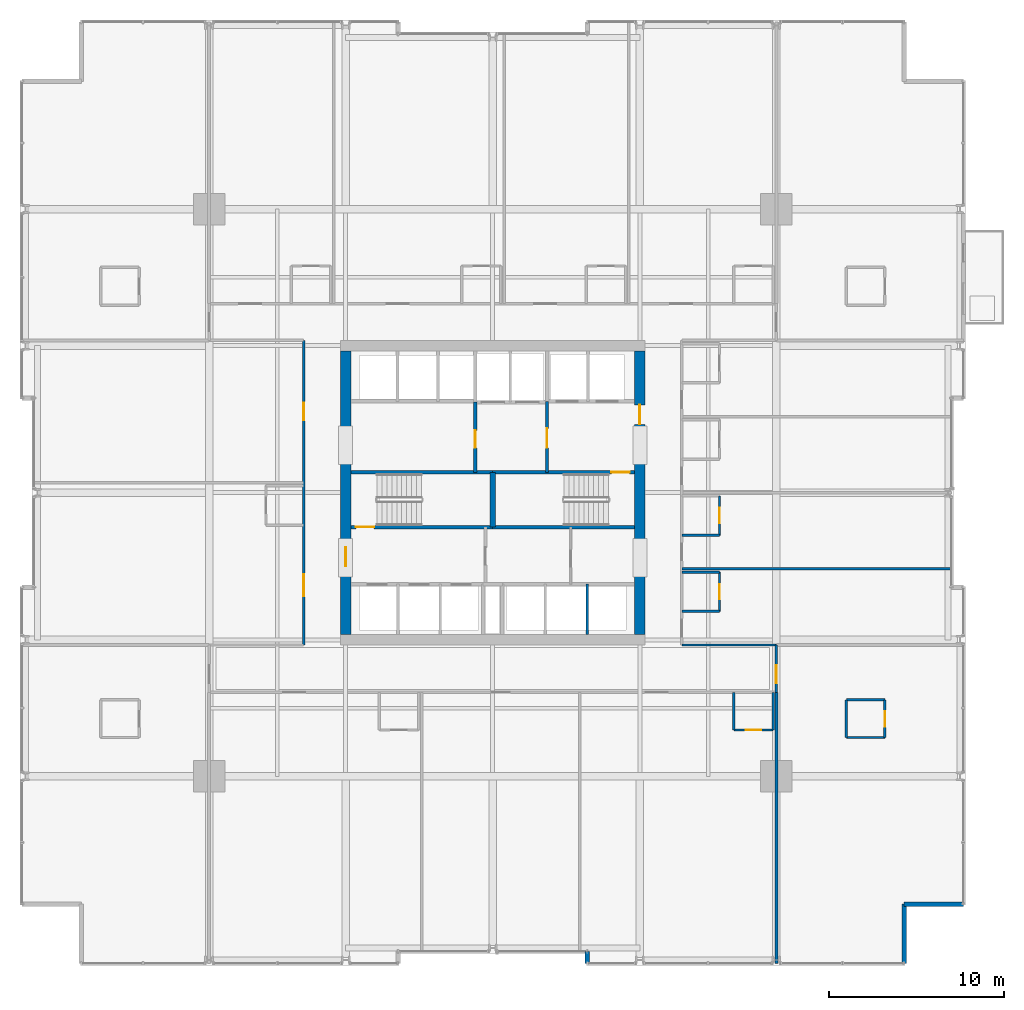
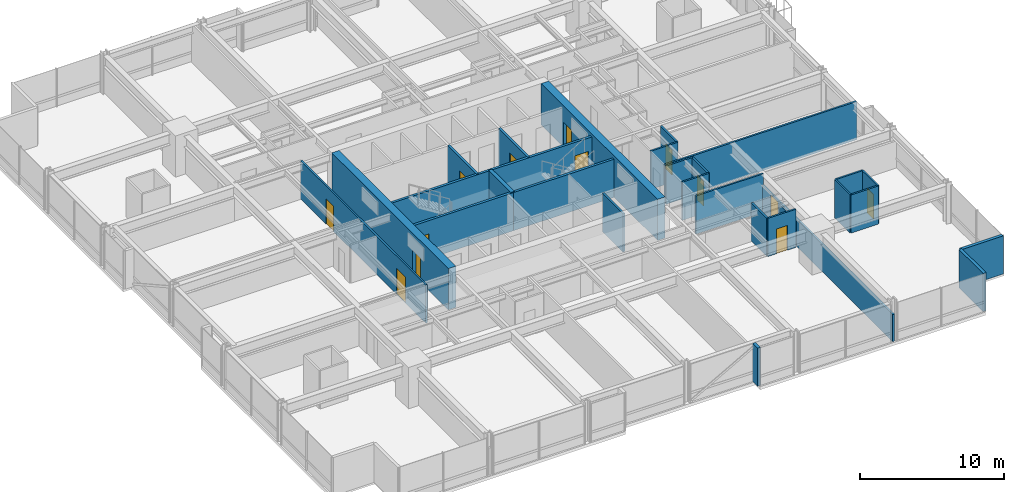
# One storey, part 31 of 38: 30 walls, 13 doors, 13 openings.
"""IFC4 building model written with IfcOpenShell, lengths in metres."""

import ifcopenshell
import ifcopenshell.guid

model = None  # the IFC model being written
_history = None  # IfcOwnerHistory: only IFC2X3 demands one
_inside = {}  # id of a spatial element -> (the spatial element, [elements in it])
_under = {}  # id of a project, library or spatial element -> (it, [spatial elements below it])
_declared = {}  # id of a project -> (the project, [libraries it declares])
_typed = {}  # id of a type object -> (the type object, [elements of that type])
_made_of = {}  # id of a material, layer set ... -> (it, [elements and type objects made of it])


def new_model(schema):
    """Start an empty IFC model of exactly this schema.

    Asked for "IFC4X3", IfcOpenShell would pick the latest addendum, in which some entities
    have other attributes; the version numbers below select the first issue.
    IFC2X3 requires an IfcOwnerHistory on every rooted entity: one is made here for all.
    """
    global model, _history
    if schema == "IFC4X3":
        model = ifcopenshell.file(schema_version=(4, 3, 0, 0))
    else:
        model = ifcopenshell.file(schema=schema)
    _inside.clear()
    _under.clear()
    _declared.clear()
    _typed.clear()
    _made_of.clear()
    _history = None
    if model.schema == "IFC2X3":
        org = make("IfcOrganization", Name="unknown")
        user = make(
            "IfcPersonAndOrganization",
            ThePerson=make("IfcPerson", FamilyName="unknown"),
            TheOrganization=org,
        )
        app = make(
            "IfcApplication",
            ApplicationDeveloper=org,
            Version="unknown",
            ApplicationFullName="unknown",
            ApplicationIdentifier="unknown",
        )
        _history = make(
            "IfcOwnerHistory",
            OwningUser=user,
            OwningApplication=app,
            ChangeAction="ADDED",
            CreationDate=0,
        )
    return model


def make(cls, **values):
    """One entity of the class cls with the attributes given. An attribute that is None is left unset."""
    return model.create_entity(
        cls, **{name: value for name, value in values.items() if value is not None}
    )


def rooted(cls, **values):
    """An entity with a GlobalId (a new one), such as an element, a storey or a relation."""
    return make(cls, GlobalId=ifcopenshell.guid.new(), OwnerHistory=_history, **values)


def si_unit(unit_type, name, prefix=None):
    """IfcSIUnit, for example si_unit("LENGTHUNIT", "METRE", prefix="MILLI")."""
    return make("IfcSIUnit", UnitType=unit_type, Prefix=prefix, Name=name)


def assignment(units):
    """IfcUnitAssignment: the units of a project."""
    return None if units is None else make("IfcUnitAssignment", Units=units)


def point(xyz):
    """IfcCartesianPoint."""
    return None if xyz is None else make("IfcCartesianPoint", Coordinates=xyz)


def direction(xyz):
    """IfcDirection."""
    return None if xyz is None else make("IfcDirection", DirectionRatios=xyz)


def frame(location, z_axis=None, x_axis=None):
    """IfcAxis2Placement3D, a coordinate frame: its origin and axes. An axis left out is left unset."""
    return make(
        "IfcAxis2Placement3D",
        Location=point(location),
        Axis=direction(z_axis),
        RefDirection=direction(x_axis),
    )


def frame_2d(location, x_axis=None):
    """IfcAxis2Placement2D, a coordinate frame in the plane: its origin and x axis."""
    return make(
        "IfcAxis2Placement2D", Location=point(location), RefDirection=direction(x_axis)
    )


def origin():
    """The frame at (0, 0, 0) with its axes left unset."""
    return frame((0.0, 0.0, 0.0))


def place(relative_to, where):
    """IfcLocalPlacement: puts the frame where relative to a parent placement (None: the world)."""
    return make(
        "IfcLocalPlacement", PlacementRelTo=relative_to, RelativePlacement=where
    )


def context(
    kind, dimensions, precision=None, world=None, true_north=None, identifier=None
):
    """IfcGeometricRepresentationContext, for example the 3D "Model" context."""
    return make(
        "IfcGeometricRepresentationContext",
        ContextIdentifier=identifier,
        ContextType=kind,
        CoordinateSpaceDimension=dimensions,
        Precision=precision,
        WorldCoordinateSystem=world,
        TrueNorth=true_north,
    )


def subcontext(parent, identifier, kind, view, scale=None):
    """IfcGeometricRepresentationSubContext, for example "Body" below "Model"."""
    return make(
        "IfcGeometricRepresentationSubContext",
        ContextIdentifier=identifier,
        ContextType=kind,
        ParentContext=parent,
        TargetScale=scale,
        TargetView=view,
    )


def project(units=None, contexts=None):
    """IfcProject with its units and contexts."""
    return rooted(
        "IfcProject",
        Name="project",
        RepresentationContexts=contexts,
        UnitsInContext=assignment(units),
    )


def spatial(cls, under=None, at=None, **own):
    """A site, building, storey or space (cls), placed at a placement, below another one or the project."""
    s = rooted(cls, ObjectPlacement=at, **own)
    if under is not None:
        _under.setdefault(under.id(), (under, []))[1].append(s)
    return s


def profile(cls, at=None, kind="AREA", **sizes):
    """A parametric profile (cls). Its sizes go by their IFC names, for example OverallWidth=200.0."""
    return make(cls, ProfileType=kind, Position=at, **sizes)


def rectangle(**sizes):
    """IfcRectangleProfileDef."""
    return profile("IfcRectangleProfileDef", **sizes)


def extrude(swept, where, along, depth):
    """IfcExtrudedAreaSolid: the profile swept, set in the frame where, extruded along a direction by depth."""
    return make(
        "IfcExtrudedAreaSolid",
        SweptArea=swept,
        Position=where,
        ExtrudedDirection=direction(along),
        Depth=depth,
    )


def shape(context_of_items, identifier, shape_type, items):
    """IfcShapeRepresentation: the items that make up one representation, for example the "Body"."""
    return make(
        "IfcShapeRepresentation",
        ContextOfItems=context_of_items,
        RepresentationIdentifier=identifier,
        RepresentationType=shape_type,
        Items=items,
    )


def material(Name=None, Category=None):
    """IfcMaterial."""
    return make("IfcMaterial", Name=Name, Category=Category)


def layer(
    of_material, thickness, ventilated=None, Name=None, Category=None, Priority=None
):
    """IfcMaterialLayer: one layer of a wall or slab, of a material (None: an air gap)."""
    return make(
        "IfcMaterialLayer",
        Material=of_material,
        LayerThickness=thickness,
        IsVentilated=ventilated,
        Name=Name,
        Category=Category,
        Priority=Priority,
    )


def layer_set(layers, Name=None):
    """IfcMaterialLayerSet."""
    return make("IfcMaterialLayerSet", MaterialLayers=layers, LayerSetName=Name)


def made_of(thing, what):
    """Note that an element or type object is made of a material, layer set ...; save() writes the relation."""
    if what is not None:
        _made_of.setdefault(what.id(), (what, []))[1].append(thing)
    return thing


def type_object(cls, material=None, **own):
    """A type object (cls), such as IfcWallType, which elements share."""
    return made_of(rooted(cls, **own), material)


def element(
    cls,
    number,
    at=None,
    inside=None,
    cuts=None,
    type_object=None,
    material=None,
    context=None,
    identifier="Body",
    shape_type=None,
    held_by="IfcProductDefinitionShape",
    body=None,
    shapes=None,
    **own,
):
    """One element of the class cls, such as IfcWall. Its Tag is "e" and its number.

    at: its placement. inside: the storey or other place that contains it. cuts: it is an
    opening in that element (IfcRelVoidsElement). A single representation is given by context,
    identifier, shape_type and body (its items); several are given by shapes. held_by: the class
    of the entity that holds the representations. save() writes the other relations.
    """
    e = rooted(cls, Tag="e%d" % number, ObjectPlacement=at, **own)
    if body is not None:
        shapes = [shape(context, identifier, shape_type, body)]
    if shapes is not None:
        e.Representation = make(held_by, Representations=shapes)
    if inside is not None:
        _inside.setdefault(inside.id(), (inside, []))[1].append(e)
    if cuts is not None:
        rooted(
            "IfcRelVoidsElement", RelatingBuildingElement=cuts, RelatedOpeningElement=e
        )
    if type_object is not None:
        _typed.setdefault(type_object.id(), (type_object, []))[1].append(e)
    return made_of(e, material)


def fill(opening, filler):
    """IfcRelFillsElement: the door or window that sits in an opening."""
    return rooted(
        "IfcRelFillsElement",
        RelatingOpeningElement=opening,
        RelatedBuildingElement=filler,
    )


def aggregate(whole, parts):
    """IfcRelAggregates: a whole, such as a stair, and the parts it consists of."""
    return rooted("IfcRelAggregates", RelatingObject=whole, RelatedObjects=parts)


def save(model, path):
    """Write the relations noted so far, then the file.

    IfcRelAggregates (storeys below a building ...), IfcRelContainedInSpatialStructure (elements
    in a storey), IfcRelDefinesByType, IfcRelAssociatesMaterial and IfcRelDeclares: one each for
    every whole, place, type object, material and project.
    """
    for whole, parts in _under.values():
        aggregate(whole, parts)
    for where, things in _inside.values():
        rooted(
            "IfcRelContainedInSpatialStructure",
            RelatedElements=things,
            RelatingStructure=where,
        )
    for kind, things in _typed.values():
        rooted("IfcRelDefinesByType", RelatedObjects=things, RelatingType=kind)
    for what, things in _made_of.values():
        rooted("IfcRelAssociatesMaterial", RelatedObjects=things, RelatingMaterial=what)
    for by, libraries in _declared.values():
        rooted("IfcRelDeclares", RelatingContext=by, RelatedDefinitions=libraries)
    model.write(path)


model = new_model("IFC4")

# Units and contexts
model_context = context("Model", 3, precision=1e-05, world=origin(), true_north=direction((0.0, 1.0)))
body_context = subcontext(model_context, "Body", "Model", "MODEL_VIEW")
ifc_project = project(units=[si_unit("LENGTHUNIT", "METRE"), si_unit("AREAUNIT", "SQUARE_METRE"), si_unit("VOLUMEUNIT", "CUBIC_METRE"), si_unit("PLANEANGLEUNIT", "RADIAN"), si_unit("MASSUNIT", "GRAM", prefix="KILO")], contexts=[model_context])

# Site, building, storey
site_placement = place(None, origin())
site = spatial("IfcSite", under=ifc_project, at=site_placement, CompositionType="ELEMENT")
building_placement = place(site_placement, origin())
building = spatial("IfcBuilding", under=site, at=building_placement, Name="Drelvath Grand Hotel", CompositionType="ELEMENT")
storey_placement = place(building_placement, frame((0.0, 0.0, 50.699951171875)))
storey = spatial("IfcBuildingStorey", under=building, at=storey_placement, Name="L11", CompositionType="ELEMENT", Elevation=50.699951171875)

# Wall, opening, door
ifc_material_1 = material(Name="Concrete C40/50", Category="concrete")
ifc_layer_1 = layer(ifc_material_1, 0.199951171875)
ifc_layer_set_1 = layer_set([ifc_layer_1], Name="Concrete C40/50")
wall_type_1 = type_object("IfcWallType", Name="Core Shaft Fire Wall 200", PredefinedType="SOLIDWALL", material=ifc_layer_set_1)
wall_1_placement = place(storey_placement, frame((-8.10009765625, 25.0400390625, 0.0), z_axis=(0.0, 0.0, 1.0), x_axis=(1.0, 0.0, 0.0)))
wall_1 = element("IfcWall", 1, at=wall_1_placement, inside=storey, type_object=wall_type_1, Name="L11 Stair ST-1 South Wall", PredefinedType="SOLIDWALL", context=body_context, shape_type="SweptSolid", body=[
    extrude(rectangle(XDim=8.10009765625, YDim=0.199951171875, at=frame_2d((4.050048828125, 0.0))), origin(), (0.0, 0.0, 1.0), 3.239990234375),
])
opening_1_placement = place(wall_1_placement, frame((0.280029296875, 0.0, 0.0)))
opening_1 = element("IfcOpeningElement", 2, at=opening_1_placement, cuts=wall_1, Name="Opening D-T1G2-001", PredefinedType="OPENING", context=body_context, shape_type="SweptSolid", body=[
    extrude(rectangle(XDim=1.050048828125, YDim=2.10009765625, at=frame_2d((0.52490234375, 1.050048828125))), frame((0.0, 0.10986328125, 0.0), z_axis=(0.0, -1.0, 0.0), x_axis=(1.0, 0.0, 0.0)), (0.0, 0.0, 1.0), 0.219970703125),
])
ifc_material_2 = material(Name="Painted Steel S275", Category="steel")
door_type_1 = type_object("IfcDoorType", Name="Tower Stairwell Fire Door 1050x2100", OperationType="NOTDEFINED", PredefinedType="DOOR", material=ifc_material_2)
door_1_placement = place(opening_1_placement, origin())
door_1 = element("IfcDoor", 3, at=door_1_placement, inside=storey, type_object=door_type_1, Name="L11 Exit Stair ST-1 Door", OperationType="SINGLE_SWING_LEFT", OverallHeight=2.10009765625, OverallWidth=1.050048828125, PredefinedType="DOOR", context=body_context, shape_type="SweptSolid", body=[
    extrude(rectangle(XDim=1.050048828125, YDim=2.10009765625, at=frame_2d((0.52490234375, 1.050048828125))), frame((0.0, 0.02490234375, 0.0), z_axis=(0.0, -1.0, 0.0), x_axis=(1.0, 0.0, 0.0)), (0.0, 0.0, 1.0), 0.050048828125),
])
fill(opening_1, door_1)

# Walls
for number, where, z_axis, x_axis, name in (
    (4, (-8.10009765625, 28.159912109375, 0.0), (0.0, 0.0, 1.0), (1.0, 0.0, 0.0), "L11 Stair ST-1 North Wall"),
    (5, (0.0, 25.0400390625, 0.0), (0.0, 0.0, 1.0), (1.0, 0.0, 0.0), "L11 Stair ST-2 South Wall"),
):
    element("IfcWall", number, at=place(storey_placement, frame(where, z_axis=z_axis, x_axis=x_axis)), inside=storey, type_object=wall_type_1, Name=name, PredefinedType="SOLIDWALL", context=body_context, shape_type="SweptSolid", body=[
        extrude(rectangle(XDim=8.10009765625, YDim=0.199951171875, at=frame_2d((4.050048828125, 0.0))), origin(), (0.0, 0.0, 1.0), 3.239990234375),
    ])

# Wall, opening, door
wall_2_placement = place(storey_placement, frame((8.10009765625, 28.159912109375, 0.0), z_axis=(0.0, 0.0, 1.0), x_axis=(-1.0, 0.0, 0.0)))
wall_2 = element("IfcWall", 6, at=wall_2_placement, inside=storey, type_object=wall_type_1, Name="L11 Stair ST-2 North Wall", PredefinedType="SOLIDWALL", context=body_context, shape_type="SweptSolid", body=[
    extrude(rectangle(XDim=8.10009765625, YDim=0.199951171875, at=frame_2d((4.050048828125, 0.0))), origin(), (0.0, 0.0, 1.0), 3.239990234375),
])
opening_2_placement = place(wall_2_placement, frame((0.280029296875, 0.0, 0.0)))
opening_2 = element("IfcOpeningElement", 7, at=opening_2_placement, cuts=wall_2, Name="Opening D-T1G2-002", PredefinedType="OPENING", context=body_context, shape_type="SweptSolid", body=[
    extrude(rectangle(XDim=1.050048828125, YDim=2.10009765625, at=frame_2d((0.52490234375, 1.050048828125))), frame((0.0, 0.10986328125, 0.0), z_axis=(0.0, -1.0, 0.0), x_axis=(1.0, 0.0, 0.0)), (0.0, 0.0, 1.0), 0.219970703125),
])
door_2_placement = place(opening_2_placement, origin())
door_2 = element("IfcDoor", 8, at=door_2_placement, inside=storey, type_object=door_type_1, Name="L11 Exit Stair ST-2 Door", OperationType="SINGLE_SWING_LEFT", OverallHeight=2.10009765625, OverallWidth=1.050048828125, PredefinedType="DOOR", context=body_context, shape_type="SweptSolid", body=[
    extrude(rectangle(XDim=1.050048828125, YDim=2.10009765625, at=frame_2d((0.52490234375, 1.050048828125))), frame((0.0, 0.02490234375, 0.0), z_axis=(0.0, -1.0, 0.0), x_axis=(1.0, 0.0, 0.0)), (0.0, 0.0, 1.0), 0.050048828125),
])
fill(opening_2, door_2)

# Walls
ifc_layer_2 = layer(ifc_material_1, 0.300048828125)
ifc_layer_set_2 = layer_set([ifc_layer_2], Name="Concrete C40/50")
wall_type_2 = type_object("IfcWallType", Name="Core Shaft Fire Wall 300", PredefinedType="SOLIDWALL", material=ifc_layer_set_2)
wall_3_placement = place(storey_placement, frame((0.0, 25.0400390625, 0.0), z_axis=(0.0, 0.0, 1.0), x_axis=(0.0, 1.0, 0.0)))
element("IfcWall", 9, at=wall_3_placement, inside=storey, type_object=wall_type_2, Name="L11 Core Stair Divider Wall", PredefinedType="SOLIDWALL", context=body_context, shape_type="SweptSolid", body=[
    extrude(rectangle(XDim=3.119873046875, YDim=0.300048828125, at=frame_2d((1.56005859375, 0.0))), origin(), (0.0, 0.0, 1.0), 3.239990234375),
])
ifc_material_3 = material(Name="Gypsum Fireboard Partition")
ifc_layer_3 = layer(ifc_material_3, 0.1650390625)
ifc_layer_set_3 = layer_set([ifc_layer_3], Name="Gypsum Fireboard Partition")
wall_type_3 = type_object("IfcWallType", Name="Core Shaft Partition 165", PredefinedType="PARTITIONING", material=ifc_layer_set_3)
wall_4_placement = place(storey_placement, frame((5.39990234375, 18.89990234375, 0.0), z_axis=(0.0, 0.0, 1.0), x_axis=(0.0, 1.0, 0.0)))
element("IfcWall", 10, at=wall_4_placement, inside=storey, type_object=wall_type_3, Name="L11 Lift PE-5/6 Divider", PredefinedType="PARTITIONING", context=body_context, shape_type="SweptSolid", body=[
    extrude(rectangle(XDim=2.880126953125, YDim=0.1650390625, at=frame_2d((1.43994140625, 0.0))), origin(), (0.0, 0.0, 1.0), 3.239990234375),
])
ifc_layer_4 = layer(ifc_material_3, 0.135009765625)
ifc_layer_set_4 = layer_set([ifc_layer_4], Name="Gypsum Fireboard Partition")
wall_type_4 = type_object("IfcWallType", Name="Corridor Fire Barrier Wall 135", PredefinedType="PARTITIONING", material=ifc_layer_set_4)
wall_5_placement = place(storey_placement, frame((10.800048828125, 18.300048828125, 0.0), z_axis=(0.0, 0.0, 1.0), x_axis=(1.0, 0.0, 0.0)))
element("IfcWall", 11, at=wall_5_placement, inside=storey, type_object=wall_type_4, Name="L11 SE Spur Inner Wall", PredefinedType="PARTITIONING", context=body_context, shape_type="SweptSolid", body=[
    extrude(rectangle(XDim=5.39990234375, YDim=0.135009765625, at=frame_2d((2.699951171875, 0.0))), origin(), (0.0, 0.0, 1.0), 3.239990234375),
])

# Wall, openings, doors
wall_6_placement = place(storey_placement, frame((-10.800048828125, 18.300048828125, 0.0), z_axis=(0.0, 0.0, 1.0), x_axis=(0.0, 1.0, 0.0)))
wall_6 = element("IfcWall", 12, at=wall_6_placement, inside=storey, type_object=wall_type_4, Name="L11 West Corridor Wall", PredefinedType="PARTITIONING", context=body_context, shape_type="SweptSolid", body=[
    extrude(rectangle(XDim=17.39990234375, YDim=0.135009765625, at=frame_2d((8.699951171875, 0.0))), origin(), (0.0, 0.0, 1.0), 3.239990234375),
])
opening_3_placement = place(wall_6_placement, frame((2.794921875, 0.0, 0.0)))
opening_3 = element("IfcOpeningElement", 13, at=opening_3_placement, cuts=wall_6, Name="Opening D-T1G2-038", PredefinedType="OPENING", context=body_context, shape_type="SweptSolid", body=[
    extrude(rectangle(XDim=1.260009765625, YDim=2.199951171875, at=frame_2d((0.6298828125, 1.10009765625))), frame((0.0, 0.077392578125, 0.0), z_axis=(0.0, -1.0, 0.0), x_axis=(1.0, 0.0, 0.0)), (0.0, 0.0, 1.0), 0.155029296875),
])
opening_4_placement = place(wall_6_placement, frame((12.830078125, 0.0, 0.0)))
opening_4 = element("IfcOpeningElement", 14, at=opening_4_placement, cuts=wall_6, Name="Opening D-T1G2-039", PredefinedType="OPENING", context=body_context, shape_type="SweptSolid", body=[
    extrude(rectangle(XDim=1.02001953125, YDim=2.14990234375, at=frame_2d((0.510009765625, 1.074951171875))), frame((0.0, 0.077392578125, 0.0), z_axis=(0.0, -1.0, 0.0), x_axis=(1.0, 0.0, 0.0)), (0.0, 0.0, 1.0), 0.155029296875),
])
ifc_material_4 = material(Name="Hardwood Walnut Timber", Category="wood")
door_type_2 = type_object("IfcDoorType", Name="Amenity Meeting Fire Door 1020x2150", OperationType="NOTDEFINED", PredefinedType="DOOR", material=ifc_material_4)
door_3_placement = place(opening_4_placement, origin())
door_3 = element("IfcDoor", 15, at=door_3_placement, inside=storey, type_object=door_type_2, Name="L11 Spa Treatment Room Entry Door", OperationType="SINGLE_SWING_RIGHT", OverallHeight=2.14990234375, OverallWidth=1.02001953125, PredefinedType="DOOR", context=body_context, shape_type="SweptSolid", body=[
    extrude(rectangle(XDim=1.02001953125, YDim=2.14990234375, at=frame_2d((0.510009765625, 1.074951171875))), frame((0.0, 0.02490234375, 0.0), z_axis=(0.0, -1.0, 0.0), x_axis=(1.0, 0.0, 0.0)), (0.0, 0.0, 1.0), 0.050048828125),
])
fill(opening_4, door_3)
door_type_3 = type_object("IfcDoorType", Name="Suite Entrance Fire Door 1260x2200", OperationType="NOTDEFINED", PredefinedType="DOOR", material=ifc_material_4)
door_4_placement = place(opening_3_placement, origin())
door_4 = element("IfcDoor", 16, at=door_4_placement, inside=storey, type_object=door_type_3, Name="L11 Corner Suite Entry Door", OperationType="SINGLE_SWING_LEFT", OverallHeight=2.199951171875, OverallWidth=1.260009765625, PredefinedType="DOOR", context=body_context, shape_type="SweptSolid", body=[
    extrude(rectangle(XDim=1.260009765625, YDim=2.199951171875, at=frame_2d((0.6298828125, 1.10009765625))), frame((0.0, 0.02490234375, 0.0), z_axis=(0.0, -1.0, 0.0), x_axis=(1.0, 0.0, 0.0)), (0.0, 0.0, 1.0), 0.050048828125),
])
fill(opening_3, door_4)

# Wall, opening, door
wall_7_placement = place(storey_placement, frame((16.199951171875, 15.60009765625, 0.0), z_axis=(0.0, 0.0, 1.0), x_axis=(0.0, 1.0, 0.0)))
wall_7 = element("IfcWall", 17, at=wall_7_placement, inside=storey, type_object=wall_type_4, Name="L11 South Corridor East End", PredefinedType="PARTITIONING", context=body_context, shape_type="SweptSolid", body=[
    extrude(rectangle(XDim=2.699951171875, YDim=0.135009765625, at=frame_2d((1.35009765625, 0.0))), origin(), (0.0, 0.0, 1.0), 2.29833984375),
])
opening_5_placement = place(wall_7_placement, frame((0.52001953125, 0.0, 0.0)))
opening_5 = element("IfcOpeningElement", 18, at=opening_5_placement, cuts=wall_7, Name="Opening D-T1G2-019", PredefinedType="OPENING", context=body_context, shape_type="SweptSolid", body=[
    extrude(rectangle(XDim=1.02001953125, YDim=2.14990234375, at=frame_2d((0.510009765625, 1.074951171875))), frame((0.0, 0.077392578125, 0.0), z_axis=(0.0, -1.0, 0.0), x_axis=(1.0, 0.0, 0.0)), (0.0, 0.0, 1.0), 0.155029296875),
])
door_5_placement = place(opening_5_placement, origin())
door_5 = element("IfcDoor", 19, at=door_5_placement, inside=storey, type_object=door_type_2, Name="L11 Corner Suite Entry Door", OperationType="SINGLE_SWING_RIGHT", OverallHeight=2.14990234375, OverallWidth=1.02001953125, PredefinedType="DOOR", context=body_context, shape_type="SweptSolid", body=[
    extrude(rectangle(XDim=1.02001953125, YDim=2.14990234375, at=frame_2d((0.510009765625, 1.074951171875))), frame((0.0, 0.02490234375, 0.0), z_axis=(0.0, -1.0, 0.0), x_axis=(1.0, 0.0, 0.0)), (0.0, 0.0, 1.0), 0.050048828125),
])
fill(opening_5, door_5)

# Walls
ifc_material_5 = material(Name="Moisture-Resistant Gypsum Board")
ifc_layer_5 = layer(ifc_material_5, 0.139892578125)
ifc_layer_set_5 = layer_set([ifc_layer_5], Name="Moisture-Resistant Gypsum Board")
wall_type_5 = type_object("IfcWallType", Name="En-Suite Plumbing Wall 140", PredefinedType="PLUMBINGWALL", material=ifc_layer_set_5)
for number, where, z_axis, x_axis, name in (
    (20, (20.199951171875, 13.02001953125, 0.0), (0.0, 0.0, 1.0), (1.0, 0.0, 0.0), "L11 Corner En-Suite South"),
    (21, (20.199951171875, 15.169921875, 0.0), (0.0, 0.0, 1.0), (1.0, 0.0, 0.0), "L11 Corner En-Suite North"),
):
    element("IfcWall", number, at=place(storey_placement, frame(where, z_axis=z_axis, x_axis=x_axis)), inside=storey, type_object=wall_type_5, Name=name, PredefinedType="PLUMBINGWALL", context=body_context, shape_type="SweptSolid", body=[
        extrude(rectangle(XDim=2.199951171875, YDim=0.139892578125, at=frame_2d((1.10009765625, 0.0))), origin(), (0.0, 0.0, 1.0), 3.239990234375),
    ])
wall_8_placement = place(storey_placement, frame((20.199951171875, 13.02001953125, 0.0), z_axis=(0.0, 0.0, 1.0), x_axis=(0.0, 1.0, 0.0)))
element("IfcWall", 22, at=wall_8_placement, inside=storey, type_object=wall_type_5, Name="L11 Corner En-Suite West", PredefinedType="PLUMBINGWALL", context=body_context, shape_type="SweptSolid", body=[
    extrude(rectangle(XDim=2.14990234375, YDim=0.139892578125, at=frame_2d((1.074951171875, 0.0))), origin(), (0.0, 0.0, 1.0), 3.239990234375),
])

# Wall, opening, door
wall_9_placement = place(storey_placement, frame((22.39990234375, 13.02001953125, 0.0), z_axis=(0.0, 0.0, 1.0), x_axis=(0.0, 1.0, 0.0)))
wall_9 = element("IfcWall", 23, at=wall_9_placement, inside=storey, type_object=wall_type_5, Name="L11 Corner En-Suite East", PredefinedType="PLUMBINGWALL", context=body_context, shape_type="SweptSolid", body=[
    extrude(rectangle(XDim=2.14990234375, YDim=0.139892578125, at=frame_2d((1.074951171875, 0.0))), origin(), (0.0, 0.0, 1.0), 3.239990234375),
])
opening_6_placement = place(wall_9_placement, frame((0.6201171875, 0.0, 0.0)))
opening_6 = element("IfcOpeningElement", 24, at=opening_6_placement, cuts=wall_9, Name="Opening D-T1G2-018", PredefinedType="OPENING", context=body_context, shape_type="SweptSolid", body=[
    extrude(rectangle(XDim=0.8798828125, YDim=2.10009765625, at=frame_2d((0.43994140625, 1.050048828125))), frame((0.0, 0.079833984375, 0.0), z_axis=(0.0, -1.0, 0.0), x_axis=(1.0, 0.0, 0.0)), (0.0, 0.0, 1.0), 0.159912109375),
])
door_type_4 = type_object("IfcDoorType", Name="En-Suite Bathroom Door 880x2100", OperationType="NOTDEFINED", PredefinedType="DOOR", material=ifc_material_4)
door_6_placement = place(opening_6_placement, origin())
door_6 = element("IfcDoor", 25, at=door_6_placement, inside=storey, type_object=door_type_4, Name="L11 Corner En-Suite Door", OperationType="SINGLE_SWING_LEFT", OverallHeight=2.10009765625, OverallWidth=0.8798828125, PredefinedType="DOOR", context=body_context, shape_type="SweptSolid", body=[
    extrude(rectangle(XDim=0.8798828125, YDim=2.10009765625, at=frame_2d((0.43994140625, 1.050048828125))), frame((0.0, 0.02490234375, 0.0), z_axis=(0.0, -1.0, 0.0), x_axis=(1.0, 0.0, 0.0)), (0.0, 0.0, 1.0), 0.050048828125),
])
fill(opening_6, door_6)

# Walls
wall_10_placement = place(storey_placement, frame((13.77001953125, 15.60009765625, 0.0), z_axis=(0.0, 0.0, 1.0), x_axis=(0.0, -1.0, 0.0)))
element("IfcWall", 26, at=wall_10_placement, inside=storey, type_object=wall_type_5, Name="L11 En-Suite Left Wall", PredefinedType="PLUMBINGWALL", context=body_context, shape_type="SweptSolid", body=[
    extrude(rectangle(XDim=2.150146484375, YDim=0.139892578125, at=frame_2d((1.0751953125, 0.0))), origin(), (0.0, 0.0, 1.0), 3.239990234375),
])
wall_11_placement = place(storey_placement, frame((16.02001953125, 15.60009765625, 0.0), z_axis=(0.0, 0.0, 1.0), x_axis=(0.0, -1.0, 0.0)))
element("IfcWall", 27, at=wall_11_placement, inside=storey, type_object=wall_type_5, Name="L11 En-Suite Right Wall", PredefinedType="PLUMBINGWALL", context=body_context, shape_type="SweptSolid", body=[
    extrude(rectangle(XDim=2.150146484375, YDim=0.139892578125, at=frame_2d((1.0751953125, 0.0))), origin(), (0.0, 0.0, 1.0), 2.29833984375),
])

# Wall, opening, door
wall_12_placement = place(storey_placement, frame((13.77001953125, 13.449951171875, 0.0), z_axis=(0.0, 0.0, 1.0), x_axis=(1.0, 0.0, 0.0)))
wall_12 = element("IfcWall", 28, at=wall_12_placement, inside=storey, type_object=wall_type_5, Name="L11 En-Suite Front Wall", PredefinedType="PLUMBINGWALL", context=body_context, shape_type="SweptSolid", body=[
    extrude(rectangle(XDim=2.25, YDim=0.139892578125, at=frame_2d((1.125, 0.0))), origin(), (0.0, 0.0, 1.0), 3.239990234375),
])
opening_7_placement = place(wall_12_placement, frame((0.68505859375, 0.0, 0.0)))
opening_7 = element("IfcOpeningElement", 29, at=opening_7_placement, cuts=wall_12, Name="Opening D-T1G2-027", PredefinedType="OPENING", context=body_context, shape_type="SweptSolid", body=[
    extrude(rectangle(XDim=0.8798828125, YDim=2.10009765625, at=frame_2d((0.43994140625, 1.050048828125))), frame((0.0, 0.079833984375, 0.0), z_axis=(0.0, -1.0, 0.0), x_axis=(1.0, 0.0, 0.0)), (0.0, 0.0, 1.0), 0.159912109375),
])
door_7_placement = place(opening_7_placement, origin())
door_7 = element("IfcDoor", 30, at=door_7_placement, inside=storey, type_object=door_type_4, Name="L11 En-Suite Bathroom Door", OperationType="SINGLE_SWING_RIGHT", OverallHeight=2.10009765625, OverallWidth=0.8798828125, PredefinedType="DOOR", context=body_context, shape_type="SweptSolid", body=[
    extrude(rectangle(XDim=0.8798828125, YDim=2.10009765625, at=frame_2d((0.43994140625, 1.050048828125))), frame((0.0, 0.02490234375, 0.0), z_axis=(0.0, -1.0, 0.0), x_axis=(1.0, 0.0, 0.0)), (0.0, 0.0, 1.0), 0.050048828125),
])
fill(opening_7, door_7)

# Walls
for number, where, z_axis, x_axis, name in (
    (31, (10.800048828125, 20.219970703125, 0.0), (0.0, 0.0, 1.0), (1.0, 0.0, 0.0), "L11 En-Suite Left Wall"),
    (32, (10.800048828125, 22.469970703125, 0.0), (0.0, 0.0, 1.0), (1.0, 0.0, 0.0), "L11 En-Suite Right Wall"),
):
    element("IfcWall", number, at=place(storey_placement, frame(where, z_axis=z_axis, x_axis=x_axis)), inside=storey, type_object=wall_type_5, Name=name, PredefinedType="PLUMBINGWALL", context=body_context, shape_type="SweptSolid", body=[
        extrude(rectangle(XDim=2.14990234375, YDim=0.139892578125, at=frame_2d((1.074951171875, 0.0))), origin(), (0.0, 0.0, 1.0), 3.239990234375),
    ])

# Wall, opening, door
wall_13_placement = place(storey_placement, frame((12.949951171875, 20.219970703125, 0.0), z_axis=(0.0, 0.0, 1.0), x_axis=(0.0, 1.0, 0.0)))
wall_13 = element("IfcWall", 33, at=wall_13_placement, inside=storey, type_object=wall_type_5, Name="L11 En-Suite Front Wall", PredefinedType="PLUMBINGWALL", context=body_context, shape_type="SweptSolid", body=[
    extrude(rectangle(XDim=2.25, YDim=0.139892578125, at=frame_2d((1.125, 0.0))), origin(), (0.0, 0.0, 1.0), 3.239990234375),
])
opening_8_placement = place(wall_13_placement, frame((0.68505859375, 0.0, 0.0)))
opening_8 = element("IfcOpeningElement", 34, at=opening_8_placement, cuts=wall_13, Name="Opening D-T1G2-040", PredefinedType="OPENING", context=body_context, shape_type="SweptSolid", body=[
    extrude(rectangle(XDim=0.8798828125, YDim=2.10009765625, at=frame_2d((0.43994140625, 1.050048828125))), frame((0.0, 0.079833984375, 0.0), z_axis=(0.0, -1.0, 0.0), x_axis=(1.0, 0.0, 0.0)), (0.0, 0.0, 1.0), 0.159912109375),
])
door_8_placement = place(opening_8_placement, origin())
door_8 = element("IfcDoor", 35, at=door_8_placement, inside=storey, type_object=door_type_4, Name="L11 En-Suite Bathroom Door", OperationType="SINGLE_SWING_LEFT", OverallHeight=2.10009765625, OverallWidth=0.8798828125, PredefinedType="DOOR", context=body_context, shape_type="SweptSolid", body=[
    extrude(rectangle(XDim=0.8798828125, YDim=2.10009765625, at=frame_2d((0.43994140625, 1.050048828125))), frame((0.0, 0.02490234375, 0.0), z_axis=(0.0, -1.0, 0.0), x_axis=(1.0, 0.0, 0.0)), (0.0, 0.0, 1.0), 0.050048828125),
])
fill(opening_8, door_8)

# Wall
wall_14_placement = place(storey_placement, frame((10.800048828125, 24.570068359375, 0.0), z_axis=(0.0, 0.0, 1.0), x_axis=(1.0, 0.0, 0.0)))
element("IfcWall", 36, at=wall_14_placement, inside=storey, type_object=wall_type_5, Name="L11 En-Suite Left Wall", PredefinedType="PLUMBINGWALL", context=body_context, shape_type="SweptSolid", body=[
    extrude(rectangle(XDim=2.14990234375, YDim=0.139892578125, at=frame_2d((1.074951171875, 0.0))), origin(), (0.0, 0.0, 1.0), 3.239990234375),
])

# Wall, opening, door
wall_15_placement = place(storey_placement, frame((12.949951171875, 24.570068359375, 0.0), z_axis=(0.0, 0.0, 1.0), x_axis=(0.0, 1.0, 0.0)))
wall_15 = element("IfcWall", 37, at=wall_15_placement, inside=storey, type_object=wall_type_5, Name="L11 En-Suite Front Wall", PredefinedType="PLUMBINGWALL", context=body_context, shape_type="SweptSolid", body=[
    extrude(rectangle(XDim=2.25, YDim=0.139892578125, at=frame_2d((1.125, 0.0))), origin(), (0.0, 0.0, 1.0), 3.239990234375),
])
opening_9_placement = place(wall_15_placement, frame((0.68505859375, 0.0, 0.0)))
opening_9 = element("IfcOpeningElement", 38, at=opening_9_placement, cuts=wall_15, Name="Opening D-T1G2-042", PredefinedType="OPENING", context=body_context, shape_type="SweptSolid", body=[
    extrude(rectangle(XDim=0.8798828125, YDim=2.10009765625, at=frame_2d((0.43994140625, 1.050048828125))), frame((0.0, 0.079833984375, 0.0), z_axis=(0.0, -1.0, 0.0), x_axis=(1.0, 0.0, 0.0)), (0.0, 0.0, 1.0), 0.159912109375),
])
door_9_placement = place(opening_9_placement, origin())
door_9 = element("IfcDoor", 39, at=door_9_placement, inside=storey, type_object=door_type_4, Name="L11 En-Suite Bathroom Door", OperationType="SINGLE_SWING_LEFT", OverallHeight=2.10009765625, OverallWidth=0.8798828125, PredefinedType="DOOR", context=body_context, shape_type="SweptSolid", body=[
    extrude(rectangle(XDim=0.8798828125, YDim=2.10009765625, at=frame_2d((0.43994140625, 1.050048828125))), frame((0.0, 0.02490234375, 0.0), z_axis=(0.0, -1.0, 0.0), x_axis=(1.0, 0.0, 0.0)), (0.0, 0.0, 1.0), 0.050048828125),
])
fill(opening_9, door_9)

ifc_layer_6 = layer(ifc_material_3, 0.179931640625)
ifc_layer_set_6 = layer_set([ifc_layer_6], Name="Gypsum Fireboard Partition")
wall_type_6 = type_object("IfcWallType", Name="FSAE Smoke Lobby Fire Wall 180", PredefinedType="SOLIDWALL", material=ifc_layer_set_6)
wall_16_placement = place(storey_placement, frame((3.10009765625, 28.159912109375, 0.0), z_axis=(0.0, 0.0, 1.0), x_axis=(0.0, 1.0, 0.0)))
wall_16 = element("IfcWall", 40, at=wall_16_placement, inside=storey, type_object=wall_type_6, Name="L11 FSAE Smoke Lobby West Wall", PredefinedType="SOLIDWALL", context=body_context, shape_type="SweptSolid", body=[
    extrude(rectangle(XDim=4.06005859375, YDim=0.179931640625, at=frame_2d((2.030029296875, 0.0))), origin(), (0.0, 0.0, 1.0), 3.239990234375),
])
opening_10_placement = place(wall_16_placement, frame((1.39990234375, 0.0, 0.0)))
opening_10 = element("IfcOpeningElement", 41, at=opening_10_placement, cuts=wall_16, Name="Opening D-T1G2-005", PredefinedType="OPENING", context=body_context, shape_type="SweptSolid", body=[
    extrude(rectangle(XDim=1.1201171875, YDim=2.10009765625, at=frame_2d((0.56005859375, 1.050048828125))), frame((0.0, 0.099853515625, 0.0), z_axis=(0.0, -1.0, 0.0), x_axis=(1.0, 0.0, 0.0)), (0.0, 0.0, 1.0), 0.199951171875),
])
door_type_5 = type_object("IfcDoorType", Name="FSAE Smoke Lobby Fire Door 1120x2100", OperationType="NOTDEFINED", PredefinedType="DOOR", material=ifc_material_2)
door_10_placement = place(opening_10_placement, origin())
door_10 = element("IfcDoor", 42, at=door_10_placement, inside=storey, type_object=door_type_5, Name="L11 FSAE Lobby Service Vestibule Door", OperationType="SINGLE_SWING_RIGHT", OverallHeight=2.10009765625, OverallWidth=1.1201171875, PredefinedType="DOOR", context=body_context, shape_type="SweptSolid", body=[
    extrude(rectangle(XDim=1.1201171875, YDim=2.10009765625, at=frame_2d((0.56005859375, 1.050048828125))), frame((0.0, 0.02490234375, 0.0), z_axis=(0.0, -1.0, 0.0), x_axis=(1.0, 0.0, 0.0)), (0.0, 0.0, 1.0), 0.050048828125),
])
fill(opening_10, door_10)

wall_17_placement = place(storey_placement, frame((-1.0, 28.159912109375, 0.0), z_axis=(0.0, 0.0, 1.0), x_axis=(0.0, 1.0, 0.0)))
wall_17 = element("IfcWall", 43, at=wall_17_placement, inside=storey, type_object=wall_type_6, Name="L11 Service Vestibule West Wall", PredefinedType="SOLIDWALL", context=body_context, shape_type="SweptSolid", body=[
    extrude(rectangle(XDim=4.02001953125, YDim=0.179931640625, at=frame_2d((2.010009765625, 0.0))), origin(), (0.0, 0.0, 1.0), 3.239990234375),
])
opening_11_placement = place(wall_17_placement, frame((1.39990234375, 0.0, 0.0)))
opening_11 = element("IfcOpeningElement", 44, at=opening_11_placement, cuts=wall_17, Name="Opening D-T1G2-009", PredefinedType="OPENING", context=body_context, shape_type="SweptSolid", body=[
    extrude(rectangle(XDim=1.0, YDim=2.10009765625, at=frame_2d((0.5, 1.050048828125))), frame((0.0, 0.099853515625, 0.0), z_axis=(0.0, -1.0, 0.0), x_axis=(1.0, 0.0, 0.0)), (0.0, 0.0, 1.0), 0.199951171875),
])
door_type_6 = type_object("IfcDoorType", Name="Core Service Fire Door 1000x2100", OperationType="NOTDEFINED", PredefinedType="DOOR", material=ifc_material_2)
door_11_placement = place(opening_11_placement, origin())
door_11 = element("IfcDoor", 45, at=door_11_placement, inside=storey, type_object=door_type_6, Name="L11 Service Vestibule West Door", OperationType="SINGLE_SWING_LEFT", OverallHeight=2.10009765625, OverallWidth=1.0, PredefinedType="DOOR", context=body_context, shape_type="SweptSolid", body=[
    extrude(rectangle(XDim=1.0, YDim=2.10009765625, at=frame_2d((0.5, 1.050048828125))), frame((0.0, 0.02490234375, 0.0), z_axis=(0.0, -1.0, 0.0), x_axis=(1.0, 0.0, 0.0)), (0.0, 0.0, 1.0), 0.050048828125),
])
fill(opening_11, door_11)

# Wall
ifc_material_6 = material(Name="Gypsum Acoustic Partition")
ifc_layer_7 = layer(ifc_material_6, 0.14990234375)
ifc_layer_set_7 = layer_set([ifc_layer_7], Name="Gypsum Acoustic Partition")
wall_type_7 = type_object("IfcWallType", Name="Guestroom Demising Wall 150", PredefinedType="PARTITIONING", material=ifc_layer_set_7)
wall_18_placement = place(storey_placement, frame((10.800048828125, 22.64990234375, 0.0), z_axis=(0.0, 0.0, 1.0), x_axis=(1.0, 0.0, 0.0)))
element("IfcWall", 46, at=wall_18_placement, inside=storey, type_object=wall_type_7, Name="L11 East Demising 1", PredefinedType="PARTITIONING", context=body_context, shape_type="SweptSolid", body=[
    extrude(rectangle(XDim=15.39990234375, YDim=0.14990234375, at=frame_2d((7.699951171875, 0.0))), origin(), (0.0, 0.0, 1.0), 3.239990234375),
])

# Wall, opening, door
ifc_material_7 = material(Name="Concrete f'c 70 MPa", Category="concrete")
ifc_layer_8 = layer(ifc_material_7, 0.60009765625)
ifc_layer_set_8 = layer_set([ifc_layer_8], Name="Concrete f'c 70 MPa")
wall_type_8 = type_object("IfcWallType", Name="Lower Core RC Shear Wall 600", PredefinedType="SHEAR", material=ifc_layer_set_8)
wall_19_placement = place(storey_placement, frame((8.39990234375, 35.10009765625, 0.0), z_axis=(0.0, 0.0, 1.0), x_axis=(0.0, -1.0, 0.0)))
wall_19 = element("IfcWall", 47, at=wall_19_placement, inside=storey, type_object=wall_type_8, Name="L11 Central Core Shear Wall E", PredefinedType="SHEAR", context=body_context, shape_type="SweptSolid", body=[
    extrude(rectangle(XDim=16.2001953125, YDim=0.60009765625, at=frame_2d((8.10009765625, 0.0))), origin(), (0.0, 0.0, 1.0), 3.5),
])
opening_12_placement = place(wall_19_placement, frame((3.080078125, 0.0, 0.0)))
opening_12 = element("IfcOpeningElement", 48, at=opening_12_placement, cuts=wall_19, Name="Opening D-T1G2-006", PredefinedType="OPENING", context=body_context, shape_type="SweptSolid", body=[
    extrude(rectangle(XDim=1.1201171875, YDim=2.10009765625, at=frame_2d((0.56005859375, 1.050048828125))), frame((0.0, 0.31005859375, 0.0), z_axis=(0.0, -1.0, 0.0), x_axis=(1.0, 0.0, 0.0)), (0.0, 0.0, 1.0), 0.6201171875),
])
door_12_placement = place(opening_12_placement, origin())
door_12 = element("IfcDoor", 49, at=door_12_placement, inside=storey, type_object=door_type_5, Name="L11 FSAE Lobby East Corridor Door", OperationType="SINGLE_SWING_LEFT", OverallHeight=2.10009765625, OverallWidth=1.1201171875, PredefinedType="DOOR", context=body_context, shape_type="SweptSolid", body=[
    extrude(rectangle(XDim=1.1201171875, YDim=2.10009765625, at=frame_2d((0.56005859375, 1.050048828125))), frame((0.0, 0.02490234375, 0.0), z_axis=(0.0, -1.0, 0.0), x_axis=(1.0, 0.0, 0.0)), (0.0, 0.0, 1.0), 0.050048828125),
])
fill(opening_12, door_12)

wall_20_placement = place(storey_placement, frame((-8.39990234375, 18.89990234375, 0.0), z_axis=(0.0, 0.0, 1.0), x_axis=(0.0, 1.0, 0.0)))
wall_20 = element("IfcWall", 50, at=wall_20_placement, inside=storey, type_object=wall_type_8, Name="L11 Central Core Shear Wall W", PredefinedType="SHEAR", context=body_context, shape_type="SweptSolid", body=[
    extrude(rectangle(XDim=16.2001953125, YDim=0.60009765625, at=frame_2d((8.10009765625, 0.0))), origin(), (0.0, 0.0, 1.0), 3.5),
])
opening_13_placement = place(wall_20_placement, frame((3.89990234375, 0.0, 0.0)))
opening_13 = element("IfcOpeningElement", 51, at=opening_13_placement, cuts=wall_20, Name="Opening D-T1G2-014", PredefinedType="OPENING", context=body_context, shape_type="SweptSolid", body=[
    extrude(rectangle(XDim=1.080078125, YDim=2.0400390625, at=frame_2d((0.5400390625, 1.02001953125))), frame((0.0, 0.31005859375, 0.0), z_axis=(0.0, -1.0, 0.0), x_axis=(1.0, 0.0, 0.0)), (0.0, 0.0, 1.0), 0.6201171875),
])
door_type_7 = type_object("IfcDoorType", Name="Core Corridor Fire Door 1080x2100", OperationType="NOTDEFINED", PredefinedType="DOOR", material=ifc_material_2)
door_13_placement = place(opening_13_placement, origin())
door_13 = element("IfcDoor", 52, at=door_13_placement, inside=storey, type_object=door_type_7, Name="L11 Low-Rise Lobby West Door", OperationType="SINGLE_SWING_LEFT", OverallHeight=2.0400390625, OverallWidth=1.080078125, PredefinedType="DOOR", context=body_context, shape_type="SweptSolid", body=[
    extrude(rectangle(XDim=1.080078125, YDim=2.0400390625, at=frame_2d((0.5400390625, 1.02001953125))), frame((0.0, 0.02490234375, 0.0), z_axis=(0.0, -1.0, 0.0), x_axis=(1.0, 0.0, 0.0)), (0.0, 0.0, 1.0), 0.050048828125),
])
fill(opening_13, door_13)

# Walls
ifc_layer_9 = layer(ifc_material_6, 0.1650390625)
ifc_layer_set_9 = layer_set([ifc_layer_9], Name="Gypsum Acoustic Partition")
wall_type_9 = type_object("IfcWallType", Name="Suite Demising Wall 165", PredefinedType="PARTITIONING", material=ifc_layer_set_9)
wall_21_placement = place(storey_placement, frame((16.199951171875, 0.1201171875, 0.0), z_axis=(0.0, 0.0, 1.0), x_axis=(0.0, 1.0, 0.0)))
element("IfcWall", 53, at=wall_21_placement, inside=storey, type_object=wall_type_9, Name="L11 SE Wing Boundary Wall", PredefinedType="PARTITIONING", context=body_context, shape_type="SweptSolid", body=[
    extrude(rectangle(XDim=15.47998046875, YDim=0.1650390625, at=frame_2d((7.739990234375, 0.0))), origin(), (0.0, 0.0, 1.0), 2.29833984375),
])
ifc_material_8 = material(Name="Pale-Metal Insulated Aluminium Spandrel Assembly", Category="aluminium")
ifc_layer_10 = layer(ifc_material_8, 0.239990234375)
ifc_layer_set_10 = layer_set([ifc_layer_10], Name="Pale-Metal Insulated Aluminium Spandrel Assembly")
wall_type_10 = type_object("IfcWallType", Name="Tower Insulated Metal Spandrel Closure Wall 240", PredefinedType="STANDARD", material=ifc_layer_set_10)
for number, where, z_axis, x_axis, name in (
    (54, (26.8798828125, 3.5, 0.0), (0.0, 0.0, 1.0), (-1.0, 0.0, 0.0), "L11 Notched Corner Return Spandrel Wall CSE1"),
    (55, (23.5, 3.5, 0.0), (0.0, 0.0, 1.0), (0.0, -1.0, 0.0), "L11 Notched Corner Return Spandrel Wall CSE2"),
):
    element("IfcWall", number, at=place(storey_placement, frame(where, z_axis=z_axis, x_axis=x_axis)), inside=storey, type_object=wall_type_10, Name=name, PredefinedType="STANDARD", context=body_context, shape_type="SweptSolid", body=[
        extrude(rectangle(XDim=3.3798828125, YDim=0.239990234375, at=frame_2d((1.68994140625, 0.0))), origin(), (0.0, 0.0, 1.0), 3.239990234375),
    ])
wall_22_placement = place(storey_placement, frame((5.39990234375, 0.1201171875, 0.0), z_axis=(0.0, 0.0, 1.0), x_axis=(0.0, 1.0, 0.0)))
element("IfcWall", 56, at=wall_22_placement, inside=storey, type_object=wall_type_10, Name="L11 Notched Corner Return Spandrel Wall RS1", PredefinedType="STANDARD", context=body_context, shape_type="SweptSolid", body=[
    extrude(rectangle(XDim=0.679931640625, YDim=0.239990234375, at=frame_2d((0.33984375, 0.0))), origin(), (0.0, 0.0, 1.0), 3.239990234375),
])

save(model, "model.ifc")
